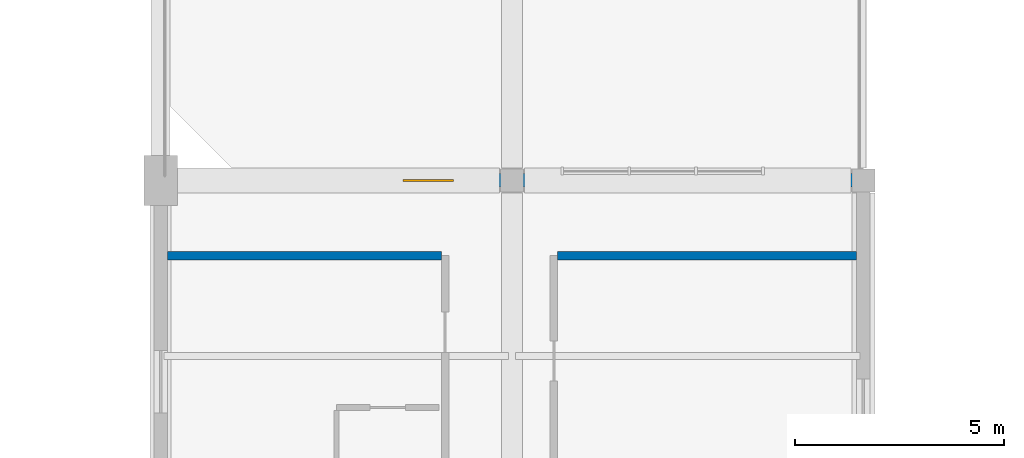
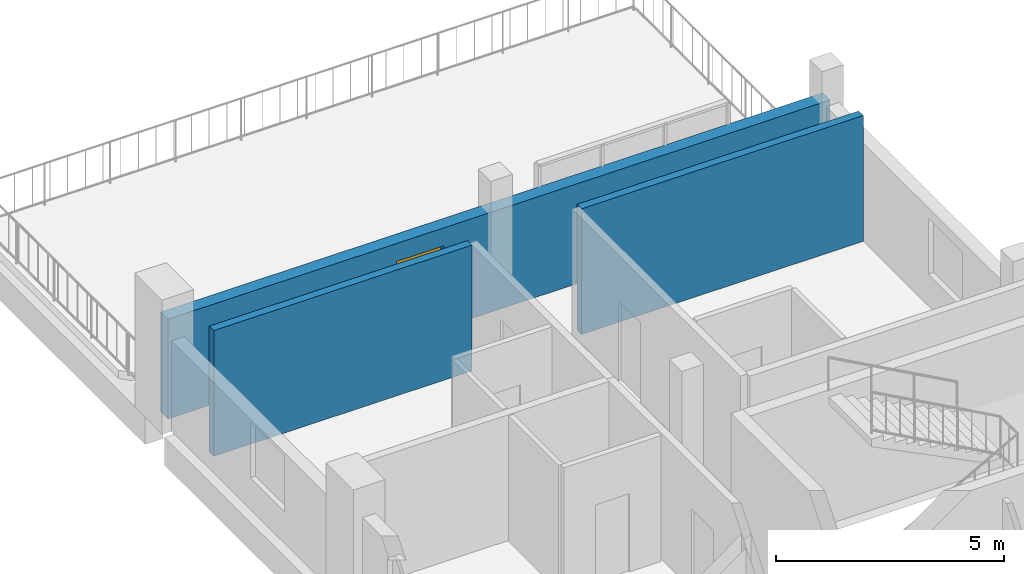
# One storey, part 21 of 26: 3 walls, 1 door, 1 opening.
"""IFC4 building model written with IfcOpenShell, lengths in metres."""

from ifc_helpers import new_model, si_unit, derived_unit, direction, frame, frame_2d, origin, place, context, subcontext, project, spatial, rectangle, extrude, material, layer, layer_set, type_object, element, fill, save


model = new_model("IFC4")

# Units and contexts
model_context = context("Model", 3, precision=1e-05, world=origin(), true_north=direction((0.0, 1.0)))
body_context = subcontext(model_context, "Body", "Model", "MODEL_VIEW")
ifc_project = project(units=[si_unit("LENGTHUNIT", "METRE"), si_unit("AREAUNIT", "SQUARE_METRE"), si_unit("VOLUMEUNIT", "CUBIC_METRE"), si_unit("PLANEANGLEUNIT", "RADIAN"), si_unit("MASSUNIT", "GRAM", prefix="KILO"), derived_unit("THERMALTRANSMITTANCEUNIT", [(si_unit("POWERUNIT", "WATT"), 1), (si_unit("LENGTHUNIT", "METRE"), -2), (si_unit("THERMODYNAMICTEMPERATUREUNIT", "KELVIN"), -1)])], contexts=[model_context])

# Site, building, storey
site_placement = place(None, origin())
site = spatial("IfcSite", under=ifc_project, at=site_placement, CompositionType="ELEMENT")
building_placement = place(site_placement, origin())
building = spatial("IfcBuilding", under=site, at=building_placement, Name="Barrovel Congress Hotel", CompositionType="ELEMENT")
storey_placement = place(building_placement, frame((0.0, 0.0, 32.699951171875)))
storey = spatial("IfcBuildingStorey", under=building, at=storey_placement, Name="L08", CompositionType="ELEMENT", Elevation=32.699951171875)

# Wall, opening, door
ifc_material_1 = material(Name="Fired Clay Brick Masonry", Category="masonry")
ifc_layer_1 = layer(ifc_material_1, 0.320068359375)
ifc_layer_set_1 = layer_set([ifc_layer_1], Name="Fired Clay Brick Masonry")
wall_type_1 = type_object("IfcWallType", Name="EW-BRK320", PredefinedType="STANDARD", material=ifc_layer_set_1)
wall_1_placement = place(storey_placement, frame((50.39990234375, 71.39990234375, 0.0), z_axis=(0.0, 0.0, 1.0), x_axis=(-1.0, 0.0, 0.0)))
wall_1 = element("IfcWall", 1, at=wall_1_placement, inside=storey, type_object=wall_type_1, Name="EW:L08:HW-N", PredefinedType="STANDARD", context=body_context, shape_type="SweptSolid", body=[
    extrude(rectangle(XDim=16.7998046875, YDim=0.320068359375, at=frame_2d((8.39990234375, 0.0))), origin(), (0.0, 0.0, 1.0), 2.679931640625),
])
opening_placement = place(wall_1_placement, frame((11.0, 0.0, 0.0), z_axis=(0.0, 0.0, 1.0), x_axis=(-1.0, 0.0, 0.0)))
opening = element("IfcOpeningElement", 2, at=opening_placement, cuts=wall_1, Name="Opening ED-04", PredefinedType="OPENING", context=body_context, shape_type="SweptSolid", body=[
    extrude(rectangle(XDim=1.199951171875, YDim=2.199951171875, at=frame_2d((0.60009765625, 1.10009765625))), frame((0.0, 0.169921875, 0.0), z_axis=(0.0, -1.0, 0.0), x_axis=(1.0, 0.0, 0.0)), (0.0, 0.0, 1.0), 0.340087890625),
])
ifc_material_2 = material(Name="Anodised Aluminium Glazed Door", Category="aluminium")
door_type = type_object("IfcDoorType", Name="EDR-ED-04", OperationType="NOTDEFINED", PredefinedType="DOOR", material=ifc_material_2)
door_placement = place(opening_placement, origin())
door = element("IfcDoor", 3, at=door_placement, inside=storey, type_object=door_type, Name="L08 North Setback Terrace Door", OperationType="SINGLE_SWING_RIGHT", OverallHeight=2.199951171875, OverallWidth=1.199951171875, PredefinedType="DOOR", context=body_context, shape_type="SweptSolid", body=[
    extrude(rectangle(XDim=1.199951171875, YDim=2.199951171875, at=frame_2d((0.60009765625, 1.10009765625))), frame((0.0, 0.02490234375, 0.0), z_axis=(0.0, -1.0, 0.0), x_axis=(1.0, 0.0, 0.0)), (0.0, 0.0, 1.0), 0.050048828125),
])
fill(opening, door)

# Walls
ifc_layer_2 = layer(ifc_material_1, 0.199951171875)
ifc_layer_set_2 = layer_set([ifc_layer_2], Name="Fired Clay Brick Masonry")
wall_type_2 = type_object("IfcWallType", Name="PW-MAS-200", PredefinedType="PARTITIONING", material=ifc_layer_set_2)
wall_2_placement = place(storey_placement, frame((33.760009765625, 69.60009765625, 0.0), z_axis=(0.0, 0.0, 1.0), x_axis=(1.0, 0.0, 0.0)))
element("IfcWall", 4, at=wall_2_placement, inside=storey, type_object=wall_type_2, Name="PW:L08:U32:DEM", PredefinedType="PARTITIONING", context=body_context, shape_type="SweptSolid", body=[
    extrude(rectangle(XDim=6.550048828125, YDim=0.199951171875, at=frame_2d((3.27490234375, 0.0))), origin(), (0.0, 0.0, 1.0), 3.375),
])
wall_3_placement = place(storey_placement, frame((43.090087890625, 69.60009765625, 0.0), z_axis=(0.0, 0.0, 1.0), x_axis=(1.0, 0.0, 0.0)))
element("IfcWall", 5, at=wall_3_placement, inside=storey, type_object=wall_type_2, Name="PW:L08:U38:DEM", PredefinedType="PARTITIONING", context=body_context, shape_type="SweptSolid", body=[
    extrude(rectangle(XDim=7.14990234375, YDim=0.199951171875, at=frame_2d((3.574951171875, 0.0))), origin(), (0.0, 0.0, 1.0), 3.375),
])

save(model, "model.ifc")
